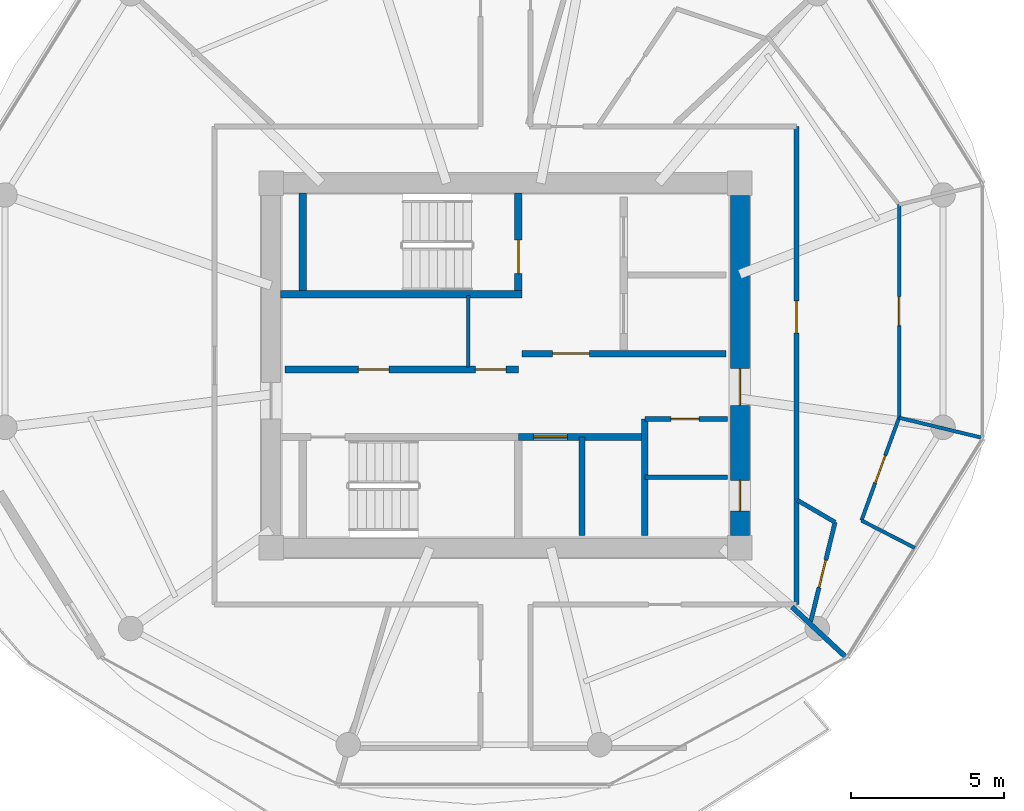
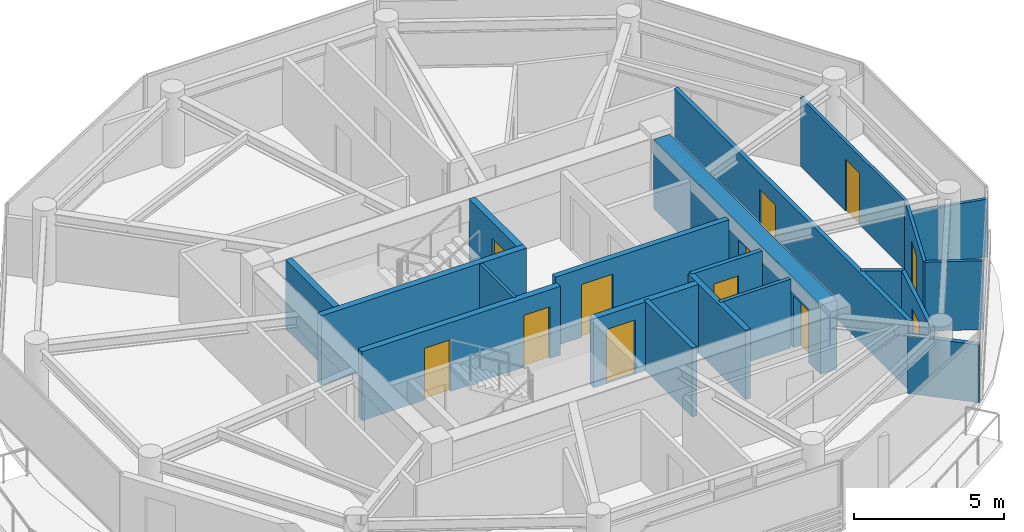
# One storey, part 15 of 21: 20 walls, 12 doors, 12 openings.
"""IFC4 building model written with IfcOpenShell, lengths in metres."""

from ifc_helpers import new_model, si_unit, direction, frame, frame_2d, origin, place, context, subcontext, project, spatial, rectangle, extrude, source, transform, mapped, material, layer, layer_set, type_object, type_shapes, element, fill, save


model = new_model("IFC4")

# Units and contexts
model_context = context("Model", 3, precision=1e-05, world=origin(), true_north=direction((0.0, 1.0)))
body_context = subcontext(model_context, "Body", "Model", "MODEL_VIEW")
ifc_project = project(units=[si_unit("LENGTHUNIT", "METRE"), si_unit("AREAUNIT", "SQUARE_METRE"), si_unit("VOLUMEUNIT", "CUBIC_METRE"), si_unit("PLANEANGLEUNIT", "RADIAN"), si_unit("MASSUNIT", "GRAM", prefix="KILO")], contexts=[model_context])

# Site, building, storey
site_placement = place(None, origin())
site = spatial("IfcSite", under=ifc_project, at=site_placement, CompositionType="ELEMENT")
building_placement = place(site_placement, origin())
building = spatial("IfcBuilding", under=site, at=building_placement, Name="Norrkilde Senior Care Towers", CompositionType="ELEMENT")
storey_placement = place(building_placement, frame((0.0, 0.0, 149.550048828125)))
storey = spatial("IfcBuildingStorey", under=building, at=storey_placement, Name="L46", CompositionType="ELEMENT", Elevation=149.550048828125)

# Wall, openings, doors
ifc_material_1 = material(Name="Concrete C50/60", Category="concrete")
ifc_layer_1 = layer(ifc_material_1, 0.6201171875)
ifc_layer_set_1 = layer_set([ifc_layer_1], Name="Concrete C50/60")
wall_type_1 = type_object("IfcWallType", Name="Core Shear Wall Z3 620", PredefinedType="SHEAR", material=ifc_layer_set_1)
shared_shape_1 = source(origin(), body_context, "Body", "SweptSolid", [
    extrude(rectangle(XDim=11.10009765625, YDim=0.6201171875, at=frame_2d((5.550048828125, 0.0))), origin(), (0.0, 0.0, 1.0), 2.81005859375),
])
type_shapes(wall_type_1, [shared_shape_1])
wall_1_placement = place(storey_placement, frame((35.64990234375, 5.550048828125, 0.0), z_axis=(0.0, 0.0, 1.0), x_axis=(0.0, -1.0, 0.0)))
wall_1 = element("IfcWall", 1, at=wall_1_placement, inside=storey, type_object=wall_type_1, Name="L46 Core E East Shear Wall", PredefinedType="SHEAR", context=body_context, shape_type="MappedRepresentation", body=[
    mapped(shared_shape_1, transform((0.0, 0.0, 0.0), x_axis=(1.0, 0.0, 0.0), y_axis=(0.0, 1.0, 0.0), z_axis=(0.0, 0.0, 1.0), scale=1.0)),
])
opening_1_placement = place(wall_1_placement, frame((5.64990234375, 0.0, 0.0)))
opening_1 = element("IfcOpeningElement", 2, at=opening_1_placement, cuts=wall_1, Name="Opening D-04", PredefinedType="OPENING", context=body_context, shape_type="SweptSolid", body=[
    extrude(rectangle(XDim=1.199951171875, YDim=2.14990234375, at=frame_2d((0.60009765625, 1.074951171875))), frame((0.0, 0.320068359375, 0.0), z_axis=(0.0, -1.0, 0.0), x_axis=(1.0, 0.0, 0.0)), (0.0, 0.0, 1.0), 0.64013671875),
])
opening_2_placement = place(wall_1_placement, frame((9.300048828125, 0.0, 0.0)))
opening_2 = element("IfcOpeningElement", 3, at=opening_2_placement, cuts=wall_1, Name="Opening D-10", PredefinedType="OPENING", context=body_context, shape_type="SweptSolid", body=[
    extrude(rectangle(XDim=1.0, YDim=2.10009765625, at=frame_2d((0.5, 1.050048828125))), frame((0.0, 0.320068359375, 0.0), z_axis=(0.0, -1.0, 0.0), x_axis=(1.0, 0.0, 0.0)), (0.0, 0.0, 1.0), 0.64013671875),
])
ifc_material_2 = material(Name="Galvanised Painted Steel", Category="steel")
door_type_1 = type_object("IfcDoorType", Name="Firefighting Lobby Fire Door 1200x2150", OperationType="NOTDEFINED", PredefinedType="DOOR", material=ifc_material_2)
shared_shape_2 = source(origin(), body_context, "Body", "SweptSolid", [
    extrude(rectangle(XDim=1.199951171875, YDim=2.14990234375, at=frame_2d((0.60009765625, 1.074951171875))), frame((0.0, 0.02490234375, 0.0), z_axis=(0.0, -1.0, 0.0), x_axis=(1.0, 0.0, 0.0)), (0.0, 0.0, 1.0), 0.050048828125),
])
type_shapes(door_type_1, [shared_shape_2])
door_1_placement = place(opening_1_placement, frame((1.199951171875, 0.0, 0.0), z_axis=(0.0, 0.0, 1.0), x_axis=(-1.0, 0.0, 0.0)))
door_1 = element("IfcDoor", 4, at=door_1_placement, inside=storey, type_object=door_type_1, Name="L46 Core E East Portal Door", OperationType="SINGLE_SWING_RIGHT", OverallHeight=2.14990234375, OverallWidth=1.199951171875, PredefinedType="DOOR", context=body_context, shape_type="MappedRepresentation", body=[
    mapped(shared_shape_2, transform((0.0, 0.0, 0.0), x_axis=(1.0, 0.0, 0.0), y_axis=(0.0, 1.0, 0.0), z_axis=(0.0, 0.0, 1.0), scale=1.0)),
])
fill(opening_1, door_1)
door_type_2 = type_object("IfcDoorType", Name="Plant and Riser Rated Door 1000x2100", OperationType="NOTDEFINED", PredefinedType="DOOR", material=ifc_material_2)
shared_shape_3 = source(origin(), body_context, "Body", "SweptSolid", [
    extrude(rectangle(XDim=1.0, YDim=2.10009765625, at=frame_2d((0.5, 1.050048828125))), frame((0.0, 0.02490234375, 0.0), z_axis=(0.0, -1.0, 0.0), x_axis=(1.0, 0.0, 0.0)), (0.0, 0.0, 1.0), 0.050048828125),
])
type_shapes(door_type_2, [shared_shape_3])
door_2_placement = place(opening_2_placement, frame((1.0, 0.0, 0.0), z_axis=(0.0, 0.0, 1.0), x_axis=(-1.0, 0.0, 0.0)))
door_2 = element("IfcDoor", 5, at=door_2_placement, inside=storey, type_object=door_type_2, Name="L46 Ventilation Riser E Door", OperationType="SINGLE_SWING_RIGHT", OverallHeight=2.10009765625, OverallWidth=1.0, PredefinedType="DOOR", context=body_context, shape_type="MappedRepresentation", body=[
    mapped(shared_shape_3, transform((0.0, 0.0, 0.0), x_axis=(1.0, 0.0, 0.0), y_axis=(0.0, 1.0, 0.0), z_axis=(0.0, 0.0, 1.0), scale=1.0)),
])
fill(opening_2, door_2)

# Walls
ifc_material_3 = material(Name="Concrete C45/55", Category="concrete")
ifc_layer_2 = layer(ifc_material_3, 0.239990234375)
ifc_layer_set_2 = layer_set([ifc_layer_2], Name="Concrete C45/55")
wall_type_2 = type_object("IfcWallType", Name="Shaft and Stair Enclosure Wall 240", PredefinedType="PARTITIONING", material=ifc_layer_set_2)
shared_shape_4 = source(origin(), body_context, "Body", "SweptSolid", [
    extrude(rectangle(XDim=7.880126953125, YDim=0.239990234375, at=frame_2d((3.93994140625, 0.0))), origin(), (0.0, 0.0, 1.0), 2.81005859375),
])
wall_2_placement = place(storey_placement, frame((20.659912109375, 2.330078125, 0.0), z_axis=(0.0, 0.0, 1.0), x_axis=(1.0, 0.0, 0.0)))
element("IfcWall", 6, at=wall_2_placement, inside=storey, type_object=wall_type_2, Name="WL-INT-L46-E-ST1S", PredefinedType="PARTITIONING", context=body_context, shape_type="MappedRepresentation", body=[
    mapped(shared_shape_4, transform((0.0, 0.0, 0.0), x_axis=(1.0, 0.0, 0.0), y_axis=(0.0, 1.0, 0.0), z_axis=(0.0, 0.0, 1.0), scale=1.0)),
])
shared_shape_5 = source(origin(), body_context, "Body", "SweptSolid", [
    extrude(rectangle(XDim=3.18994140625, YDim=0.239990234375, at=frame_2d((1.594970703125, 0.0))), origin(), (0.0, 0.0, 1.0), 2.81005859375),
])
type_shapes(wall_type_2, [shared_shape_4, shared_shape_5])
wall_3_placement = place(storey_placement, frame((21.3798828125, 2.449951171875, 0.0), z_axis=(0.0, 0.0, 1.0), x_axis=(0.0, 1.0, 0.0)))
element("IfcWall", 7, at=wall_3_placement, inside=storey, type_object=wall_type_2, Name="WL-INT-L46-E-ST1W", PredefinedType="PARTITIONING", context=body_context, shape_type="MappedRepresentation", body=[
    mapped(shared_shape_5, transform((0.0, 0.0, 0.0), x_axis=(1.0, 0.0, 0.0), y_axis=(0.0, 1.0, 0.0), z_axis=(0.0, 0.0, 1.0), scale=1.0)),
])

# Wall, opening, door
wall_4_placement = place(storey_placement, frame((28.419921875, 2.449951171875, 0.0), z_axis=(0.0, 0.0, 1.0), x_axis=(0.0, 1.0, 0.0)))
wall_4 = element("IfcWall", 8, at=wall_4_placement, inside=storey, type_object=wall_type_2, Name="WL-INT-L46-E-ST1E", PredefinedType="PARTITIONING", context=body_context, shape_type="MappedRepresentation", body=[
    mapped(shared_shape_5, transform((0.0, 0.0, 0.0), x_axis=(1.0, 0.0, 0.0), y_axis=(0.0, 1.0, 0.0), z_axis=(0.0, 0.0, 1.0), scale=1.0)),
])
opening_3_placement = place(wall_4_placement, frame((0.550048828125, 0.0, 0.0)))
opening_3 = element("IfcOpeningElement", 9, at=opening_3_placement, cuts=wall_4, Name="Opening D-03", PredefinedType="OPENING", context=body_context, shape_type="SweptSolid", body=[
    extrude(rectangle(XDim=1.10009765625, YDim=2.14990234375, at=frame_2d((0.550048828125, 1.074951171875))), frame((0.0, 0.1298828125, 0.0), z_axis=(0.0, -1.0, 0.0), x_axis=(1.0, 0.0, 0.0)), (0.0, 0.0, 1.0), 0.260009765625),
])
door_type_3 = type_object("IfcDoorType", Name="Stairwell Protected Fire Door 1100x2150", OperationType="NOTDEFINED", PredefinedType="DOOR", material=ifc_material_2)
shared_shape_6 = source(origin(), body_context, "Body", "SweptSolid", [
    extrude(rectangle(XDim=1.10009765625, YDim=2.14990234375, at=frame_2d((0.550048828125, 1.074951171875))), frame((0.0, 0.02490234375, 0.0), z_axis=(0.0, -1.0, 0.0), x_axis=(1.0, 0.0, 0.0)), (0.0, 0.0, 1.0), 0.050048828125),
])
type_shapes(door_type_3, [shared_shape_6])
door_3_placement = place(opening_3_placement, origin())
door_3 = element("IfcDoor", 10, at=door_3_placement, inside=storey, type_object=door_type_3, Name="L46 Stair E1 Fire Door", OperationType="SINGLE_SWING_LEFT", OverallHeight=2.14990234375, OverallWidth=1.10009765625, PredefinedType="DOOR", context=body_context, shape_type="MappedRepresentation", body=[
    mapped(shared_shape_6, transform((0.0, 0.0, 0.0), x_axis=(1.0, 0.0, 0.0), y_axis=(0.0, 1.0, 0.0), z_axis=(0.0, 0.0, 1.0), scale=1.0)),
])
fill(opening_3, door_3)

ifc_layer_3 = layer(ifc_material_3, 0.2099609375)
ifc_layer_set_3 = layer_set([ifc_layer_3], Name="Concrete C45/55")
wall_type_3 = type_object("IfcWallType", Name="Firefighting Lobby Wall 210", PredefinedType="PARTITIONING", material=ifc_layer_set_3)
shared_shape_7 = source(origin(), body_context, "Body", "SweptSolid", [
    extrude(rectangle(XDim=6.659912109375, YDim=0.2099609375, at=frame_2d((3.330078125, 0.0))), origin(), (0.0, 0.0, 1.0), 2.794921875),
])
type_shapes(wall_type_3, [shared_shape_7])
wall_5_placement = place(storey_placement, frame((28.5400390625, 0.389892578125, 0.0), z_axis=(0.0, 0.0, 1.0), x_axis=(1.0, 0.0, 0.0)))
wall_5 = element("IfcWall", 11, at=wall_5_placement, inside=storey, type_object=wall_type_3, Name="WL-INT-L46-E-FFLS", PredefinedType="PARTITIONING", context=body_context, shape_type="MappedRepresentation", body=[
    mapped(shared_shape_7, transform((0.0, 0.0, 0.0), x_axis=(1.0, 0.0, 0.0), y_axis=(0.0, 1.0, 0.0), z_axis=(0.0, 0.0, 1.0), scale=1.0)),
])
opening_4_placement = place(wall_5_placement, frame((1.0, 0.0, 0.0)))
opening_4 = element("IfcOpeningElement", 12, at=opening_4_placement, cuts=wall_5, Name="Opening D-04", PredefinedType="OPENING", context=body_context, shape_type="SweptSolid", body=[
    extrude(rectangle(XDim=1.199951171875, YDim=2.14990234375, at=frame_2d((0.60009765625, 1.074951171875))), frame((0.0, 0.114990234375, 0.0), z_axis=(0.0, -1.0, 0.0), x_axis=(1.0, 0.0, 0.0)), (0.0, 0.0, 1.0), 0.22998046875),
])
door_4_placement = place(opening_4_placement, frame((1.199951171875, 0.0, 0.0), z_axis=(0.0, 0.0, 1.0), x_axis=(-1.0, 0.0, 0.0)))
door_4 = element("IfcDoor", 13, at=door_4_placement, inside=storey, type_object=door_type_1, Name="L46 Firefighting Lobby E Door", OperationType="SINGLE_SWING_LEFT", OverallHeight=2.14990234375, OverallWidth=1.199951171875, PredefinedType="DOOR", context=body_context, shape_type="MappedRepresentation", body=[
    mapped(shared_shape_2, transform((0.0, 0.0, 0.0), x_axis=(1.0, 0.0, 0.0), y_axis=(0.0, 1.0, 0.0), z_axis=(0.0, 0.0, 1.0), scale=1.0)),
])
fill(opening_4, door_4)

# Wall, openings, doors
ifc_layer_4 = layer(ifc_material_3, 0.239990234375)
ifc_layer_set_4 = layer_set([ifc_layer_4], Name="Concrete C45/55")
wall_type_4 = type_object("IfcWallType", Name="Lift and Plant Rated Enclosure Partition 240", PredefinedType="PARTITIONING", material=ifc_layer_set_4)
shared_shape_8 = source(origin(), body_context, "Body", "SweptSolid", [
    extrude(rectangle(XDim=7.619873046875, YDim=0.239990234375, at=frame_2d((3.81005859375, 0.0))), origin(), (0.0, 0.0, 1.0), 2.794921875),
])
wall_6_placement = place(storey_placement, frame((20.800048828125, -0.1298828125, 0.0), z_axis=(0.0, 0.0, 1.0), x_axis=(1.0, 0.0, 0.0)))
wall_6 = element("IfcWall", 14, at=wall_6_placement, inside=storey, type_object=wall_type_4, Name="WL-INT-L46-E-PKAS", PredefinedType="PARTITIONING", context=body_context, shape_type="MappedRepresentation", body=[
    mapped(shared_shape_8, transform((0.0, 0.0, 0.0), x_axis=(1.0, 0.0, 0.0), y_axis=(0.0, 1.0, 0.0), z_axis=(0.0, 0.0, 1.0), scale=1.0)),
])
opening_5_placement = place(wall_6_placement, frame((6.219970703125, 0.0, 0.0)))
opening_5 = element("IfcOpeningElement", 15, at=opening_5_placement, cuts=wall_6, Name="Opening D-10", PredefinedType="OPENING", context=body_context, shape_type="SweptSolid", body=[
    extrude(rectangle(XDim=1.0, YDim=2.10009765625, at=frame_2d((0.5, 1.050048828125))), frame((0.0, 0.1298828125, 0.0), z_axis=(0.0, -1.0, 0.0), x_axis=(1.0, 0.0, 0.0)), (0.0, 0.0, 1.0), 0.260009765625),
])
opening_6_placement = place(wall_6_placement, frame((2.39990234375, 0.0, 0.0)))
opening_6 = element("IfcOpeningElement", 16, at=opening_6_placement, cuts=wall_6, Name="Opening D-10", PredefinedType="OPENING", context=body_context, shape_type="SweptSolid", body=[
    extrude(rectangle(XDim=1.0, YDim=2.10009765625, at=frame_2d((0.5, 1.050048828125))), frame((0.0, 0.1298828125, 0.0), z_axis=(0.0, -1.0, 0.0), x_axis=(1.0, 0.0, 0.0)), (0.0, 0.0, 1.0), 0.260009765625),
])
door_5_placement = place(opening_5_placement, frame((1.0, 0.0, 0.0), z_axis=(0.0, 0.0, 1.0), x_axis=(-1.0, 0.0, 0.0)))
door_5 = element("IfcDoor", 17, at=door_5_placement, inside=storey, type_object=door_type_2, Name="L46 Electrical Riser E Door", OperationType="SINGLE_SWING_LEFT", OverallHeight=2.10009765625, OverallWidth=1.0, PredefinedType="DOOR", context=body_context, shape_type="MappedRepresentation", body=[
    mapped(shared_shape_3, transform((0.0, 0.0, 0.0), x_axis=(1.0, 0.0, 0.0), y_axis=(0.0, 1.0, 0.0), z_axis=(0.0, 0.0, 1.0), scale=1.0)),
])
fill(opening_5, door_5)
door_6_placement = place(opening_6_placement, frame((1.0, 0.0, 0.0), z_axis=(0.0, 0.0, 1.0), x_axis=(-1.0, 0.0, 0.0)))
door_6 = element("IfcDoor", 18, at=door_6_placement, inside=storey, type_object=door_type_2, Name="L46 Clean Supply Store E Door", OperationType="SINGLE_SWING_LEFT", OverallHeight=2.10009765625, OverallWidth=1.0, PredefinedType="DOOR", context=body_context, shape_type="MappedRepresentation", body=[
    mapped(shared_shape_3, transform((0.0, 0.0, 0.0), x_axis=(1.0, 0.0, 0.0), y_axis=(0.0, 1.0, 0.0), z_axis=(0.0, 0.0, 1.0), scale=1.0)),
])
fill(opening_6, door_6)

# Walls
ifc_material_4 = material(Name="Gypsum Acoustic Board")
ifc_layer_5 = layer(ifc_material_4, 0.114990234375)
ifc_layer_set_5 = layer_set([ifc_layer_5], Name="Gypsum Acoustic Board")
wall_type_5 = type_object("IfcWallType", Name="Internal Room Partition 115", PredefinedType="PARTITIONING", material=ifc_layer_set_5)
shared_shape_9 = source(origin(), body_context, "Body", "SweptSolid", [
    extrude(rectangle(XDim=2.330078125, YDim=0.114990234375, at=frame_2d((1.1650390625, 0.0))), origin(), (0.0, 0.0, 1.0), 2.794921875),
])
wall_7_placement = place(storey_placement, frame((26.7900390625, -0.050048828125, 0.0), z_axis=(0.0, 0.0, 1.0), x_axis=(0.0, 1.0, 0.0)))
element("IfcWall", 19, at=wall_7_placement, inside=storey, type_object=wall_type_5, Name="WL-INT-L46-E-RISW", PredefinedType="PARTITIONING", context=body_context, shape_type="MappedRepresentation", body=[
    mapped(shared_shape_9, transform((0.0, 0.0, 0.0), x_axis=(1.0, 0.0, 0.0), y_axis=(0.0, 1.0, 0.0), z_axis=(0.0, 0.0, 1.0), scale=1.0)),
])
ifc_layer_6 = layer(ifc_material_3, 0.199951171875)
ifc_layer_set_6 = layer_set([ifc_layer_6], Name="Concrete C45/55")
wall_type_6 = type_object("IfcWallType", Name="Shaft Division and Plant Partition 200", PredefinedType="PARTITIONING", material=ifc_layer_set_6)
shared_shape_10 = source(origin(), body_context, "Body", "SweptSolid", [
    extrude(rectangle(XDim=3.800048828125, YDim=0.199951171875, at=frame_2d((1.89990234375, 0.0))), origin(), (0.0, 0.0, 1.0), 2.794921875),
])
type_shapes(wall_type_6, [shared_shape_10])
wall_8_placement = place(storey_placement, frame((32.550048828125, -5.550048828125, 0.0), z_axis=(0.0, 0.0, 1.0), x_axis=(0.0, 1.0, 0.0)))
element("IfcWall", 20, at=wall_8_placement, inside=storey, type_object=wall_type_6, Name="WL-INT-L46-E-PKBE", PredefinedType="PARTITIONING", context=body_context, shape_type="MappedRepresentation", body=[
    mapped(shared_shape_10, transform((0.0, 0.0, 0.0), x_axis=(1.0, 0.0, 0.0), y_axis=(0.0, 1.0, 0.0), z_axis=(0.0, 0.0, 1.0), scale=1.0)),
])

# Wall, opening, door
shared_shape_11 = source(origin(), body_context, "Body", "SweptSolid", [
    extrude(rectangle(XDim=4.130126953125, YDim=0.239990234375, at=frame_2d((2.06494140625, 0.0))), origin(), (0.0, 0.0, 1.0), 2.794921875),
])
type_shapes(wall_type_4, [shared_shape_8, shared_shape_11])
wall_9_placement = place(storey_placement, frame((28.419921875, -2.330078125, 0.0), z_axis=(0.0, 0.0, 1.0), x_axis=(1.0, 0.0, 0.0)))
wall_9 = element("IfcWall", 21, at=wall_9_placement, inside=storey, type_object=wall_type_4, Name="WL-INT-L46-E-PKBN", PredefinedType="PARTITIONING", context=body_context, shape_type="MappedRepresentation", body=[
    mapped(shared_shape_11, transform((0.0, 0.0, 0.0), x_axis=(1.0, 0.0, 0.0), y_axis=(0.0, 1.0, 0.0), z_axis=(0.0, 0.0, 1.0), scale=1.0)),
])
opening_7_placement = place(wall_9_placement, frame((0.5, 0.0, 0.0)))
opening_7 = element("IfcOpeningElement", 22, at=opening_7_placement, cuts=wall_9, Name="Opening LD-01", PredefinedType="OPENING", context=body_context, shape_type="SweptSolid", body=[
    extrude(rectangle(XDim=1.10009765625, YDim=2.199951171875, at=frame_2d((0.550048828125, 1.10009765625))), frame((0.0, 0.1298828125, 0.0), z_axis=(0.0, -1.0, 0.0), x_axis=(1.0, 0.0, 0.0)), (0.0, 0.0, 1.0), 0.260009765625),
])
ifc_material_5 = material(Name="Stainless Steel", Category="steel")
door_type_4 = type_object("IfcDoorType", Name="Lift Landing Sliding Door 1100x2200", OperationType="NOTDEFINED", PredefinedType="DOOR", material=ifc_material_5)
shared_shape_12 = source(origin(), body_context, "Body", "SweptSolid", [
    extrude(rectangle(XDim=1.10009765625, YDim=2.199951171875, at=frame_2d((0.550048828125, 1.10009765625))), frame((0.0, 0.02490234375, 0.0), z_axis=(0.0, -1.0, 0.0), x_axis=(1.0, 0.0, 0.0)), (0.0, 0.0, 1.0), 0.050048828125),
])
type_shapes(door_type_4, [shared_shape_12])
door_7_placement = place(opening_7_placement, frame((1.10009765625, 0.0, 0.0), z_axis=(0.0, 0.0, 1.0), x_axis=(-1.0, 0.0, 0.0)))
door_7 = element("IfcDoor", 23, at=door_7_placement, inside=storey, type_object=door_type_4, Name="L46 Passenger Lift E3 Landing Door", OperationType="SLIDING_TO_LEFT", OverallHeight=2.199951171875, OverallWidth=1.10009765625, PredefinedType="DOOR", context=body_context, shape_type="MappedRepresentation", body=[
    mapped(shared_shape_12, transform((0.0, 0.0, 0.0), x_axis=(1.0, 0.0, 0.0), y_axis=(0.0, 1.0, 0.0), z_axis=(0.0, 0.0, 1.0), scale=1.0)),
])
fill(opening_7, door_7)

# Wall
ifc_layer_7 = layer(ifc_material_3, 0.179931640625)
ifc_layer_set_7 = layer_set([ifc_layer_7], Name="Concrete C45/55")
wall_type_7 = type_object("IfcWallType", Name="Hoistway Division Rated Partition 180", PredefinedType="PARTITIONING", material=ifc_layer_set_7)
shared_shape_13 = source(origin(), body_context, "Body", "SweptSolid", [
    extrude(rectangle(XDim=3.219970703125, YDim=0.179931640625, at=frame_2d((1.60986328125, 0.0))), origin(), (0.0, 0.0, 1.0), 2.794921875),
])
type_shapes(wall_type_7, [shared_shape_13])
wall_10_placement = place(storey_placement, frame((30.5, -5.550048828125, 0.0), z_axis=(0.0, 0.0, 1.0), x_axis=(0.0, 1.0, 0.0)))
element("IfcWall", 24, at=wall_10_placement, inside=storey, type_object=wall_type_7, Name="WL-INT-L46-E-PL34", PredefinedType="PARTITIONING", context=body_context, shape_type="MappedRepresentation", body=[
    mapped(shared_shape_13, transform((0.0, 0.0, 0.0), x_axis=(1.0, 0.0, 0.0), y_axis=(0.0, 1.0, 0.0), z_axis=(0.0, 0.0, 1.0), scale=1.0)),
])

# Wall, opening, door
ifc_layer_8 = layer(ifc_material_4, 0.1650390625)
ifc_layer_set_8 = layer_set([ifc_layer_8], Name="Gypsum Acoustic Board")
wall_type_8 = type_object("IfcWallType", Name="Corridor Rated Partition 165", PredefinedType="PARTITIONING", material=ifc_layer_set_8)
shared_shape_14 = source(origin(), body_context, "Body", "SweptSolid", [
    extrude(rectangle(XDim=2.699951171875, YDim=0.1650390625, at=frame_2d((1.35009765625, 0.0))), origin(), (0.0, 0.0, 1.0), 2.794921875),
])
wall_11_placement = place(storey_placement, frame((32.550048828125, -1.75, 0.0), z_axis=(0.0, 0.0, 1.0), x_axis=(1.0, 0.0, 0.0)))
wall_11 = element("IfcWall", 25, at=wall_11_placement, inside=storey, type_object=wall_type_8, Name="WL-INT-L46-E-CSN", PredefinedType="PARTITIONING", context=body_context, shape_type="MappedRepresentation", body=[
    mapped(shared_shape_14, transform((0.0, 0.0, 0.0), x_axis=(1.0, 0.0, 0.0), y_axis=(0.0, 1.0, 0.0), z_axis=(0.0, 0.0, 1.0), scale=1.0)),
])
opening_8_placement = place(wall_11_placement, frame((0.85009765625, 0.0, 0.0)))
opening_8 = element("IfcOpeningElement", 26, at=opening_8_placement, cuts=wall_11, Name="Opening D-12", PredefinedType="OPENING", context=body_context, shape_type="SweptSolid", body=[
    extrude(rectangle(XDim=0.925048828125, YDim=2.10009765625, at=frame_2d((0.46240234375, 1.050048828125))), frame((0.0, 0.092529296875, 0.0), z_axis=(0.0, -1.0, 0.0), x_axis=(1.0, 0.0, 0.0)), (0.0, 0.0, 1.0), 0.18505859375),
])
door_type_5 = type_object("IfcDoorType", Name="Core Wet Room Rated Door 925x2100", OperationType="NOTDEFINED", PredefinedType="DOOR", material=ifc_material_2)
shared_shape_15 = source(origin(), body_context, "Body", "SweptSolid", [
    extrude(rectangle(XDim=0.925048828125, YDim=2.10009765625, at=frame_2d((0.46240234375, 1.050048828125))), frame((0.0, 0.02490234375, 0.0), z_axis=(0.0, -1.0, 0.0), x_axis=(1.0, 0.0, 0.0)), (0.0, 0.0, 1.0), 0.050048828125),
])
type_shapes(door_type_5, [shared_shape_15])
door_8_placement = place(opening_8_placement, origin())
door_8 = element("IfcDoor", 27, at=door_8_placement, inside=storey, type_object=door_type_5, Name="L46 Staff WC E Door", OperationType="SINGLE_SWING_LEFT", OverallHeight=2.10009765625, OverallWidth=0.925048828125, PredefinedType="DOOR", context=body_context, shape_type="MappedRepresentation", body=[
    mapped(shared_shape_15, transform((0.0, 0.0, 0.0), x_axis=(1.0, 0.0, 0.0), y_axis=(0.0, 1.0, 0.0), z_axis=(0.0, 0.0, 1.0), scale=1.0)),
])
fill(opening_8, door_8)

# Wall
ifc_layer_9 = layer(ifc_material_4, 0.139892578125)
ifc_layer_set_9 = layer_set([ifc_layer_9], Name="Gypsum Acoustic Board")
wall_type_9 = type_object("IfcWallType", Name="En-suite Wet Room Wall 140", PredefinedType="PARTITIONING", material=ifc_layer_set_9)
shared_shape_16 = source(origin(), body_context, "Body", "SweptSolid", [
    extrude(rectangle(XDim=2.699951171875, YDim=0.139892578125, at=frame_2d((1.35009765625, 0.0))), origin(), (0.0, 0.0, 1.0), 2.794921875),
])
wall_12_placement = place(storey_placement, frame((32.550048828125, -3.64990234375, 0.0), z_axis=(0.0, 0.0, 1.0), x_axis=(1.0, 0.0, 0.0)))
element("IfcWall", 28, at=wall_12_placement, inside=storey, type_object=wall_type_9, Name="WL-INT-L46-E-CS2H", PredefinedType="PARTITIONING", context=body_context, shape_type="MappedRepresentation", body=[
    mapped(shared_shape_16, transform((0.0, 0.0, 0.0), x_axis=(1.0, 0.0, 0.0), y_axis=(0.0, 1.0, 0.0), z_axis=(0.0, 0.0, 1.0), scale=1.0)),
])

# Wall, opening, door
shared_shape_17 = source(origin(), body_context, "Body", "SweptSolid", [
    extrude(rectangle(XDim=15.60009765625, YDim=0.1650390625, at=frame_2d((7.800048828125, 0.0))), origin(), (0.0, 0.0, 1.0), 2.794921875),
])
wall_13_placement = place(storey_placement, frame((37.5, 7.800048828125, 0.0), z_axis=(0.0, 0.0, 1.0), x_axis=(0.0, -1.0, 0.0)))
wall_13 = element("IfcWall", 29, at=wall_13_placement, inside=storey, type_object=wall_type_8, Name="WL-INT-L46-E-CRW-E-0", PredefinedType="PARTITIONING", context=body_context, shape_type="MappedRepresentation", body=[
    mapped(shared_shape_17, transform((0.0, 0.0, 0.0), x_axis=(1.0, 0.0, 0.0), y_axis=(0.0, 1.0, 0.0), z_axis=(0.0, 0.0, 1.0), scale=1.0)),
])
opening_9_placement = place(wall_13_placement, frame((5.6865234375, 0.0, 0.0)))
opening_9 = element("IfcOpeningElement", 30, at=opening_9_placement, cuts=wall_13, Name="Opening D-06", PredefinedType="OPENING", context=body_context, shape_type="SweptSolid", body=[
    extrude(rectangle(XDim=1.050048828125, YDim=2.14990234375, at=frame_2d((0.52490234375, 1.074951171875))), frame((0.0, 0.092529296875, 0.0), z_axis=(0.0, -1.0, 0.0), x_axis=(1.0, 0.0, 0.0)), (0.0, 0.0, 1.0), 0.18505859375),
])
ifc_material_6 = material(Name="Nordic Ash Timber", Category="wood")
door_type_6 = type_object("IfcDoorType", Name="Apartment Entrance Fire Door 1050x2150", OperationType="NOTDEFINED", PredefinedType="DOOR", material=ifc_material_6)
shared_shape_18 = source(origin(), body_context, "Body", "SweptSolid", [
    extrude(rectangle(XDim=1.050048828125, YDim=2.14990234375, at=frame_2d((0.52490234375, 1.074951171875))), frame((0.0, 0.02490234375, 0.0), z_axis=(0.0, -1.0, 0.0), x_axis=(1.0, 0.0, 0.0)), (0.0, 0.0, 1.0), 0.050048828125),
])
type_shapes(door_type_6, [shared_shape_18])
door_9_placement = place(opening_9_placement, frame((1.050048828125, 0.0, 0.0), z_axis=(0.0, 0.0, 1.0), x_axis=(-1.0, 0.0, 0.0)))
door_9 = element("IfcDoor", 31, at=door_9_placement, inside=storey, type_object=door_type_6, Name="Apartment 46B Entrance Door", OperationType="SINGLE_SWING_LEFT", OverallHeight=2.14990234375, OverallWidth=1.050048828125, PredefinedType="DOOR", context=body_context, shape_type="MappedRepresentation", body=[
    mapped(shared_shape_18, transform((0.0, 0.0, 0.0), x_axis=(1.0, 0.0, 0.0), y_axis=(0.0, 1.0, 0.0), z_axis=(0.0, 0.0, 1.0), scale=1.0)),
])
fill(opening_9, door_9)

# Walls
shared_shape_19 = source(origin(), body_context, "Body", "SweptSolid", [
    extrude(rectangle(XDim=2.434814453125, YDim=0.1650390625, at=frame_2d((1.21728515625, 0.0))), origin(), (0.0, 0.0, 1.0), 2.344970703125),
])
type_shapes(wall_type_8, [shared_shape_14, shared_shape_17, shared_shape_19])
wall_14_placement = place(storey_placement, frame((37.3544921875, -7.8798828125, 0.0), z_axis=(0.0, 0.0, 1.0), x_axis=(0.732164643118, -0.681127693878, 0.0)))
element("IfcWall", 32, at=wall_14_placement, inside=storey, type_object=wall_type_8, Name="WL-INT-L46-E-DEM-10-0", PredefinedType="PARTITIONING", context=body_context, shape_type="MappedRepresentation", body=[
    mapped(shared_shape_19, transform((0.0, 0.0, 0.0), x_axis=(1.0, 0.0, 0.0), y_axis=(0.0, 1.0, 0.0), z_axis=(0.0, 0.0, 1.0), scale=1.0)),
])
shared_shape_20 = source(origin(), body_context, "Body", "SweptSolid", [
    extrude(rectangle(XDim=1.4248046875, YDim=0.139892578125, at=frame_2d((0.71240234375, 0.0))), origin(), (0.0, 0.0, 1.0), 2.794921875),
])
wall_15_placement = place(storey_placement, frame((37.530029296875, -4.3955078125, 0.0), z_axis=(0.0, 0.0, 1.0), x_axis=(0.86324395577, -0.50478695786, 0.0)))
element("IfcWall", 33, at=wall_15_placement, inside=storey, type_object=wall_type_9, Name="WL-INT-L46-E-UBTS-10", PredefinedType="PARTITIONING", context=body_context, shape_type="MappedRepresentation", body=[
    mapped(shared_shape_20, transform((0.0, 0.0, 0.0), x_axis=(1.0, 0.0, 0.0), y_axis=(0.0, 1.0, 0.0), z_axis=(0.0, 0.0, 1.0), scale=1.0)),
])

# Wall, opening, door
shared_shape_21 = source(origin(), body_context, "Body", "SweptSolid", [
    extrude(rectangle(XDim=3.46435546875, YDim=0.139892578125, at=frame_2d((1.732177734375, 0.0))), origin(), (0.0, 0.0, 1.0), 2.794921875),
])
type_shapes(wall_type_9, [shared_shape_16, shared_shape_20, shared_shape_21])
wall_16_placement = place(storey_placement, frame((38.760009765625, -5.11474609375, 0.0), z_axis=(0.0, 0.0, 1.0), x_axis=(-0.238055968485, -0.971251438027, 0.0)))
wall_16 = element("IfcWall", 34, at=wall_16_placement, inside=storey, type_object=wall_type_9, Name="WL-INT-L46-E-UBTF-10", PredefinedType="PARTITIONING", context=body_context, shape_type="MappedRepresentation", body=[
    mapped(shared_shape_21, transform((0.0, 0.0, 0.0), x_axis=(1.0, 0.0, 0.0), y_axis=(0.0, 1.0, 0.0), z_axis=(0.0, 0.0, 1.0), scale=1.0)),
])
opening_10_placement = place(wall_16_placement, frame((1.272216796875, 0.0, 0.0)))
opening_10 = element("IfcOpeningElement", 35, at=opening_10_placement, cuts=wall_16, Name="Opening D-08", PredefinedType="OPENING", context=body_context, shape_type="SweptSolid", body=[
    extrude(rectangle(XDim=0.919921875, YDim=2.10009765625, at=frame_2d((0.4599609375, 1.050048828125))), frame((0.0, 0.079833984375, 0.0), z_axis=(0.0, -1.0, 0.0), x_axis=(1.0, 0.0, 0.0)), (0.0, 0.0, 1.0), 0.159912109375),
])
door_type_7 = type_object("IfcDoorType", Name="Accessible Wet Room Door 920x2100", OperationType="NOTDEFINED", PredefinedType="DOOR", material=ifc_material_6)
shared_shape_22 = source(origin(), body_context, "Body", "SweptSolid", [
    extrude(rectangle(XDim=0.919921875, YDim=2.10009765625, at=frame_2d((0.4599609375, 1.050048828125))), frame((0.0, 0.02490234375, 0.0), z_axis=(0.0, -1.0, 0.0), x_axis=(1.0, 0.0, 0.0)), (0.0, 0.0, 1.0), 0.050048828125),
])
type_shapes(door_type_7, [shared_shape_22])
door_10_placement = place(opening_10_placement, origin())
door_10 = element("IfcDoor", 36, at=door_10_placement, inside=storey, type_object=door_type_7, Name="Apartment 46B Bathroom Door", OperationType="SINGLE_SWING_RIGHT", OverallHeight=2.10009765625, OverallWidth=0.919921875, PredefinedType="DOOR", context=body_context, shape_type="MappedRepresentation", body=[
    mapped(shared_shape_22, transform((0.0, 0.0, 0.0), x_axis=(1.0, 0.0, 0.0), y_axis=(0.0, 1.0, 0.0), z_axis=(0.0, 0.0, 1.0), scale=1.0)),
])
fill(opening_10, door_10)

# Wall
shared_shape_23 = source(origin(), body_context, "Body", "SweptSolid", [
    extrude(rectangle(XDim=2.81689453125, YDim=0.114990234375, at=frame_2d((1.408447265625, 0.0))), origin(), (0.0, 0.0, 1.0), 2.344970703125),
])
wall_17_placement = place(storey_placement, frame((40.85107421875, -1.703369140625, 0.0), z_axis=(0.0, 0.0, 1.0), x_axis=(0.971960052091, -0.235146033647, 0.0)))
element("IfcWall", 37, at=wall_17_placement, inside=storey, type_object=wall_type_5, Name="WL-INT-L46-E-UBR-10-1", PredefinedType="PARTITIONING", context=body_context, shape_type="MappedRepresentation", body=[
    mapped(shared_shape_23, transform((0.0, 0.0, 0.0), x_axis=(1.0, 0.0, 0.0), y_axis=(0.0, 1.0, 0.0), z_axis=(0.0, 0.0, 1.0), scale=1.0)),
])

# Wall, opening, door
shared_shape_24 = source(origin(), body_context, "Body", "SweptSolid", [
    extrude(rectangle(XDim=6.95751953125, YDim=0.114990234375, at=frame_2d((3.478759765625, 0.0))), origin(), (0.0, 0.0, 1.0), 2.794921875),
])
wall_18_placement = place(storey_placement, frame((40.85107421875, -1.703369140625, 0.0), z_axis=(0.0, 0.0, 1.0), x_axis=(0.0, 1.0, 0.0)))
wall_18 = element("IfcWall", 38, at=wall_18_placement, inside=storey, type_object=wall_type_5, Name="WL-INT-L46-E-UBC-10-1", PredefinedType="PARTITIONING", context=body_context, shape_type="MappedRepresentation", body=[
    mapped(shared_shape_24, transform((0.0, 0.0, 0.0), x_axis=(1.0, 0.0, 0.0), y_axis=(0.0, 1.0, 0.0), z_axis=(0.0, 0.0, 1.0), scale=1.0)),
])
opening_11_placement = place(wall_18_placement, frame((3.003662109375, 0.0, 0.0)))
opening_11 = element("IfcOpeningElement", 39, at=opening_11_placement, cuts=wall_18, Name="Opening D-07", PredefinedType="OPENING", context=body_context, shape_type="SweptSolid", body=[
    extrude(rectangle(XDim=0.949951171875, YDim=2.10009765625, at=frame_2d((0.47509765625, 1.050048828125))), frame((0.0, 0.0673828125, 0.0), z_axis=(0.0, -1.0, 0.0), x_axis=(1.0, 0.0, 0.0)), (0.0, 0.0, 1.0), 0.135009765625),
])
door_type_8 = type_object("IfcDoorType", Name="Internal Suite Bedroom Door 950x2100", OperationType="NOTDEFINED", PredefinedType="DOOR", material=ifc_material_6)
shared_shape_25 = source(origin(), body_context, "Body", "SweptSolid", [
    extrude(rectangle(XDim=0.949951171875, YDim=2.10009765625, at=frame_2d((0.47509765625, 1.050048828125))), frame((0.0, 0.02490234375, 0.0), z_axis=(0.0, -1.0, 0.0), x_axis=(1.0, 0.0, 0.0)), (0.0, 0.0, 1.0), 0.050048828125),
])
type_shapes(door_type_8, [shared_shape_25])
door_11_placement = place(opening_11_placement, origin())
door_11 = element("IfcDoor", 40, at=door_11_placement, inside=storey, type_object=door_type_8, Name="Apartment 46B Bedroom 1 Door", OperationType="SINGLE_SWING_RIGHT", OverallHeight=2.10009765625, OverallWidth=0.949951171875, PredefinedType="DOOR", context=body_context, shape_type="MappedRepresentation", body=[
    mapped(shared_shape_25, transform((0.0, 0.0, 0.0), x_axis=(1.0, 0.0, 0.0), y_axis=(0.0, 1.0, 0.0), z_axis=(0.0, 0.0, 1.0), scale=1.0)),
])
fill(opening_11, door_11)

# Wall
shared_shape_26 = source(origin(), body_context, "Body", "SweptSolid", [
    extrude(rectangle(XDim=1.95703125, YDim=0.114990234375, at=frame_2d((0.978515625, 0.0))), origin(), (0.0, 0.0, 1.0), 2.794921875),
])
wall_19_placement = place(storey_placement, frame((39.622802734375, -5.056884765625, 0.0), z_axis=(0.0, 0.0, 1.0), x_axis=(0.889228358674, -0.45746357902, 0.0)))
element("IfcWall", 41, at=wall_19_placement, inside=storey, type_object=wall_type_5, Name="WL-INT-L46-E-UKTS-10", PredefinedType="PARTITIONING", context=body_context, shape_type="MappedRepresentation", body=[
    mapped(shared_shape_26, transform((0.0, 0.0, 0.0), x_axis=(1.0, 0.0, 0.0), y_axis=(0.0, 1.0, 0.0), z_axis=(0.0, 0.0, 1.0), scale=1.0)),
])

# Wall, opening, door
shared_shape_27 = source(origin(), body_context, "Body", "SweptSolid", [
    extrude(rectangle(XDim=3.5712890625, YDim=0.114990234375, at=frame_2d((1.78564453125, 0.0))), origin(), (0.0, 0.0, 1.0), 2.794921875),
])
type_shapes(wall_type_5, [shared_shape_9, shared_shape_23, shared_shape_24, shared_shape_26, shared_shape_27])
wall_20_placement = place(storey_placement, frame((39.622802734375, -5.056884765625, 0.0), z_axis=(0.0, 0.0, 1.0), x_axis=(0.343515356993, 0.939147059576, 0.0)))
wall_20 = element("IfcWall", 42, at=wall_20_placement, inside=storey, type_object=wall_type_5, Name="WL-INT-L46-E-UKTF-10", PredefinedType="PARTITIONING", context=body_context, shape_type="MappedRepresentation", body=[
    mapped(shared_shape_27, transform((0.0, 0.0, 0.0), x_axis=(1.0, 0.0, 0.0), y_axis=(0.0, 1.0, 0.0), z_axis=(0.0, 0.0, 1.0), scale=1.0)),
])
opening_12_placement = place(wall_20_placement, frame((1.310546875, 0.0, 0.0)))
opening_12 = element("IfcOpeningElement", 43, at=opening_12_placement, cuts=wall_20, Name="Opening D-07", PredefinedType="OPENING", context=body_context, shape_type="SweptSolid", body=[
    extrude(rectangle(XDim=0.949951171875, YDim=2.10009765625, at=frame_2d((0.47509765625, 1.050048828125))), frame((0.0, 0.0673828125, 0.0), z_axis=(0.0, -1.0, 0.0), x_axis=(1.0, 0.0, 0.0)), (0.0, 0.0, 1.0), 0.135009765625),
])
door_12_placement = place(opening_12_placement, frame((0.949951171875, 0.0, 0.0), z_axis=(0.0, 0.0, 1.0), x_axis=(-1.0, 0.0, 0.0)))
door_12 = element("IfcDoor", 44, at=door_12_placement, inside=storey, type_object=door_type_8, Name="Apartment 46B Kitchen Door", OperationType="SINGLE_SWING_LEFT", OverallHeight=2.10009765625, OverallWidth=0.949951171875, PredefinedType="DOOR", context=body_context, shape_type="MappedRepresentation", body=[
    mapped(shared_shape_25, transform((0.0, 0.0, 0.0), x_axis=(1.0, 0.0, 0.0), y_axis=(0.0, 1.0, 0.0), z_axis=(0.0, 0.0, 1.0), scale=1.0)),
])
fill(opening_12, door_12)

save(model, "model.ifc")
